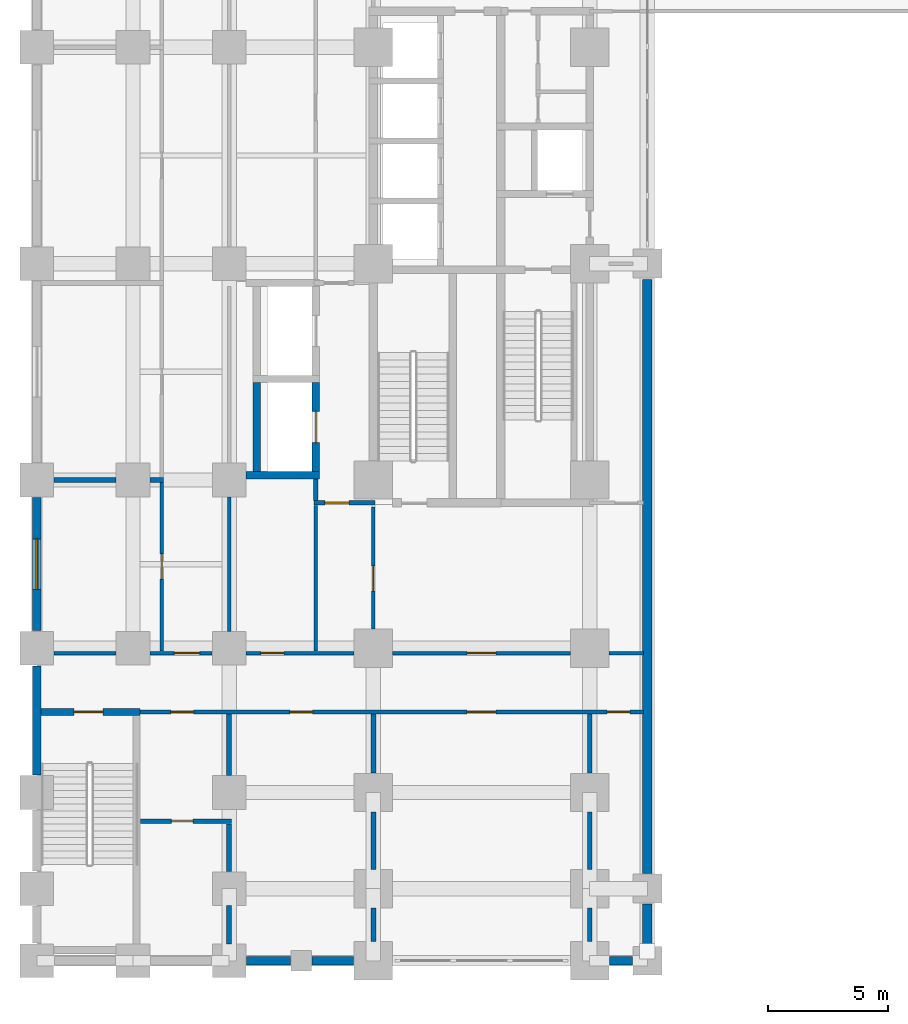
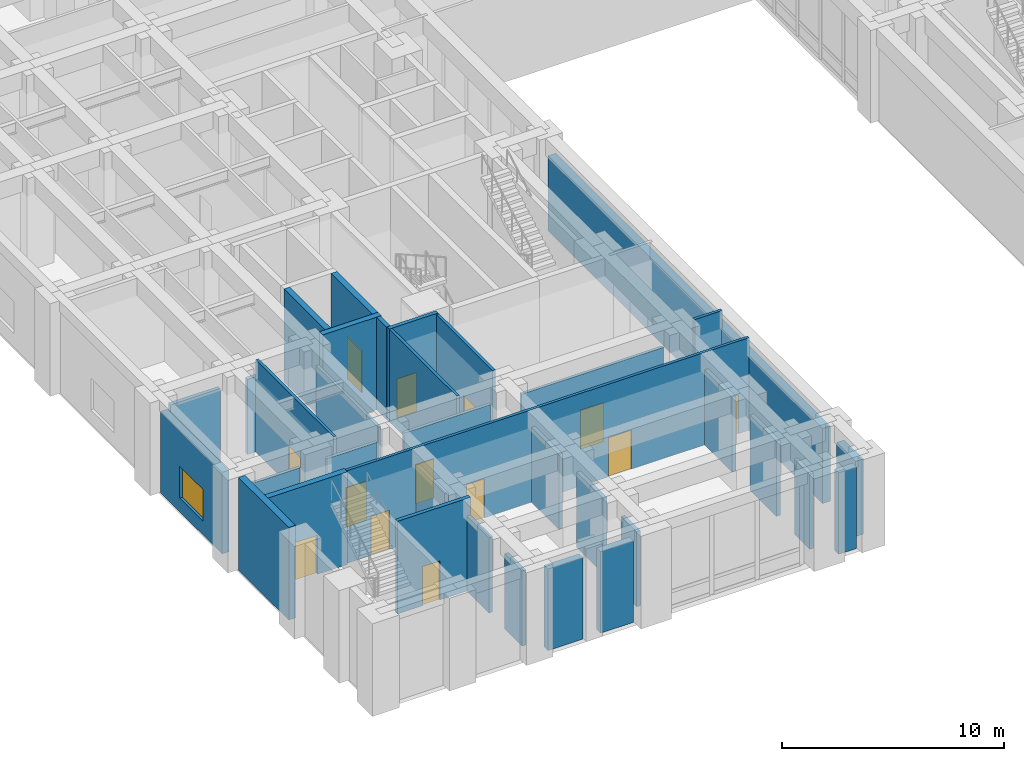
# One storey, part 8 of 21: 35 walls, 13 doors, 1 window, 14 openings.
"""IFC4 building model written with IfcOpenShell, lengths in metres."""

from ifc_helpers import new_model, si_unit, direction, frame, frame_2d, origin, place, context, subcontext, project, spatial, rectangle, extrude, material, layer, layer_set, type_object, element, fill, save


model = new_model("IFC4")

# Units and contexts
model_context = context("Model", 3, precision=1e-05, world=origin(), true_north=direction((0.0, 1.0)))
body_context = subcontext(model_context, "Body", "Model", "MODEL_VIEW")
ifc_project = project(units=[si_unit("LENGTHUNIT", "METRE"), si_unit("AREAUNIT", "SQUARE_METRE"), si_unit("VOLUMEUNIT", "CUBIC_METRE"), si_unit("PLANEANGLEUNIT", "RADIAN"), si_unit("MASSUNIT", "GRAM", prefix="KILO")], contexts=[model_context])

# Site, building, storey
site_placement = place(None, origin())
site = spatial("IfcSite", under=ifc_project, at=site_placement, CompositionType="ELEMENT")
building_placement = place(site_placement, origin())
building = spatial("IfcBuilding", under=site, at=building_placement, Name="Zulmaris Gate Convention Tower", CompositionType="ELEMENT")
storey_placement = place(building_placement, frame((0.0, 0.0, 5.43994140625)))
storey = spatial("IfcBuildingStorey", under=building, at=storey_placement, Name="L01", CompositionType="ELEMENT", Elevation=5.43994140625)

# Wall, opening, door
ifc_material_1 = material(Name="Concrete C50/60", Category="concrete")
ifc_layer_1 = layer(ifc_material_1, 0.300048828125, Name="Concrete C50/60")
ifc_layer_set_1 = layer_set([ifc_layer_1], Name="Concrete C50/60")
wall_type_1 = type_object("IfcWallType", Name="CORE-300", PredefinedType="SHEAR", material=ifc_layer_set_1)
wall_1_placement = place(storey_placement, frame((-33.8349609375, -18.64990234375, 0.0), z_axis=(0.0, 0.0, 1.0), x_axis=(1.0, 0.0, 0.0)))
wall_1 = element("IfcWall", 1, at=wall_1_placement, inside=storey, type_object=wall_type_1, Name="WL-L01-003", PredefinedType="SHEAR", context=body_context, shape_type="SweptSolid", body=[
    extrude(rectangle(XDim=4.135009765625, YDim=0.300048828125, at=frame_2d((2.0673828125, 0.0))), origin(), (0.0, 0.0, 1.0), 5.08984375),
])
opening_1_placement = place(wall_1_placement, frame((1.385009765625, 0.0, 0.0)))
opening_1 = element("IfcOpeningElement", 2, at=opening_1_placement, cuts=wall_1, Name="Opening D-13", PredefinedType="OPENING", context=body_context, shape_type="SweptSolid", body=[
    extrude(rectangle(XDim=1.199951171875, YDim=2.14990234375, at=frame_2d((0.60009765625, 1.074951171875))), frame((0.0, 0.16015625, 0.0), z_axis=(0.0, -1.0, 0.0), x_axis=(1.0, 0.0, 0.0)), (0.0, 0.0, 1.0), 0.320068359375),
])
ifc_material_2 = material(Name="Fire-Rated Steel", Category="steel")
door_type_1 = type_object("IfcDoorType", Name="DR-1200-FD", OperationType="NOTDEFINED", PredefinedType="DOOR", material=ifc_material_2)
door_1_placement = place(opening_1_placement, origin())
door_1 = element("IfcDoor", 3, at=door_1_placement, inside=storey, type_object=door_type_1, Name="L01 Exit Stair ST-4 Door 27", OperationType="SINGLE_SWING_LEFT", OverallHeight=2.14990234375, OverallWidth=1.199951171875, PredefinedType="DOOR", context=body_context, shape_type="SweptSolid", body=[
    extrude(rectangle(XDim=1.199951171875, YDim=2.14990234375, at=frame_2d((0.60009765625, 1.074951171875))), frame((0.0, 0.02490234375, 0.0), z_axis=(0.0, -1.0, 0.0), x_axis=(1.0, 0.0, 0.0)), (0.0, 0.0, 1.0), 0.050048828125),
])
fill(opening_1, door_1)

# Walls
wall_2_placement = place(storey_placement, frame((-25.2958984375, -8.800048828125, 0.0), z_axis=(0.0, 0.0, 1.0), x_axis=(1.0, 0.0, 0.0)))
element("IfcWall", 4, at=wall_2_placement, inside=storey, type_object=wall_type_1, Name="WL-L01-009", PredefinedType="SHEAR", context=body_context, shape_type="SweptSolid", body=[
    extrude(rectangle(XDim=3.0458984375, YDim=0.300048828125, at=frame_2d((1.52294921875, 0.0))), origin(), (0.0, 0.0, 1.0), 5.08984375),
])
wall_3_placement = place(storey_placement, frame((-24.85009765625, -8.64794921875, 0.0), z_axis=(0.0, 0.0, 1.0), x_axis=(0.0, 1.0, 0.0)))
element("IfcWall", 5, at=wall_3_placement, inside=storey, type_object=wall_type_1, Name="WL-L01-069", PredefinedType="SHEAR", context=body_context, shape_type="SweptSolid", body=[
    extrude(rectangle(XDim=3.696044921875, YDim=0.300048828125, at=frame_2d((1.84814453125, 0.0))), origin(), (0.0, 0.0, 1.0), 5.08984375),
])

# Wall, opening, door
wall_4_placement = place(storey_placement, frame((-22.39990234375, -8.64794921875, 0.0), z_axis=(0.0, 0.0, 1.0), x_axis=(0.0, 1.0, 0.0)))
wall_4 = element("IfcWall", 6, at=wall_4_placement, inside=storey, type_object=wall_type_1, Name="WL-L01-071", PredefinedType="SHEAR", context=body_context, shape_type="SweptSolid", body=[
    extrude(rectangle(XDim=3.696044921875, YDim=0.300048828125, at=frame_2d((1.84814453125, 0.0))), origin(), (0.0, 0.0, 1.0), 5.08984375),
])
opening_2_placement = place(wall_4_placement, frame((1.197998046875, 0.0, 0.0)))
opening_2 = element("IfcOpeningElement", 7, at=opening_2_placement, cuts=wall_4, Name="Opening D-07", PredefinedType="OPENING", context=body_context, shape_type="SweptSolid", body=[
    extrude(rectangle(XDim=1.300048828125, YDim=2.300048828125, at=frame_2d((0.64990234375, 1.14990234375))), frame((0.0, 0.16015625, 0.0), z_axis=(0.0, -1.0, 0.0), x_axis=(1.0, 0.0, 0.0)), (0.0, 0.0, 1.0), 0.320068359375),
])
ifc_material_3 = material(Name="Heavy-Duty Brushed Stainless Steel", Category="steel")
door_type_2 = type_object("IfcDoorType", Name="LD-1300", OperationType="NOTDEFINED", PredefinedType="DOOR", material=ifc_material_3)
door_2_placement = place(opening_2_placement, origin())
door_2 = element("IfcDoor", 8, at=door_2_placement, inside=storey, type_object=door_type_2, Name="L01 Goods Lift Door GL-01 24", OperationType="SLIDING_TO_LEFT", OverallHeight=2.300048828125, OverallWidth=1.300048828125, PredefinedType="DOOR", context=body_context, shape_type="SweptSolid", body=[
    extrude(rectangle(XDim=1.300048828125, YDim=2.300048828125, at=frame_2d((0.64990234375, 1.14990234375))), frame((0.0, 0.02490234375, 0.0), z_axis=(0.0, -1.0, 0.0), x_axis=(1.0, 0.0, 0.0)), (0.0, 0.0, 1.0), 0.050048828125),
])
fill(opening_2, door_2)

# Wall, openings, doors
ifc_material_4 = material(Name="Gypsum Metal Stud Partition")
ifc_layer_2 = layer(ifc_material_4, 0.14990234375, Name="Gypsum Metal Stud Partition")
ifc_layer_set_2 = layer_set([ifc_layer_2], Name="Gypsum Metal Stud Partition")
wall_type_2 = type_object("IfcWallType", Name="PART-150", PredefinedType="PARTITIONING", material=ifc_layer_set_2)
wall_5_placement = place(storey_placement, frame((-29.85009765625, -18.64990234375, 0.0), z_axis=(0.0, 0.0, 1.0), x_axis=(1.0, 0.0, 0.0)))
wall_5 = element("IfcWall", 9, at=wall_5_placement, inside=storey, type_object=wall_type_2, Name="WL-L01-030", PredefinedType="PARTITIONING", context=body_context, shape_type="SweptSolid", body=[
    extrude(rectangle(XDim=21.085205078125, YDim=0.14990234375, at=frame_2d((10.54248046875, 0.0))), origin(), (0.0, 0.0, 1.0), 5.08984375),
])
opening_3_placement = place(wall_5_placement, frame((1.425048828125, 0.0, 0.0)))
opening_3 = element("IfcOpeningElement", 10, at=opening_3_placement, cuts=wall_5, Name="Opening D-11", PredefinedType="OPENING", context=body_context, shape_type="SweptSolid", body=[
    extrude(rectangle(XDim=0.949951171875, YDim=2.14990234375, at=frame_2d((0.47509765625, 1.074951171875))), frame((0.0, 0.0849609375, 0.0), z_axis=(0.0, -1.0, 0.0), x_axis=(1.0, 0.0, 0.0)), (0.0, 0.0, 1.0), 0.169921875),
])
opening_4_placement = place(wall_5_placement, frame((6.375, 0.0, 0.0)))
opening_4 = element("IfcOpeningElement", 11, at=opening_4_placement, cuts=wall_5, Name="Opening D-11", PredefinedType="OPENING", context=body_context, shape_type="SweptSolid", body=[
    extrude(rectangle(XDim=0.949951171875, YDim=2.14990234375, at=frame_2d((0.47509765625, 1.074951171875))), frame((0.0, 0.0849609375, 0.0), z_axis=(0.0, -1.0, 0.0), x_axis=(1.0, 0.0, 0.0)), (0.0, 0.0, 1.0), 0.169921875),
])
opening_5_placement = place(wall_5_placement, frame((13.75, 0.0, 0.0)))
opening_5 = element("IfcOpeningElement", 12, at=opening_5_placement, cuts=wall_5, Name="Opening D-13", PredefinedType="OPENING", context=body_context, shape_type="SweptSolid", body=[
    extrude(rectangle(XDim=1.199951171875, YDim=2.14990234375, at=frame_2d((0.60009765625, 1.074951171875))), frame((0.0, 0.0849609375, 0.0), z_axis=(0.0, -1.0, 0.0), x_axis=(1.0, 0.0, 0.0)), (0.0, 0.0, 1.0), 0.169921875),
])
opening_6_placement = place(wall_5_placement, frame((19.574951171875, 0.0, 0.0)))
opening_6 = element("IfcOpeningElement", 13, at=opening_6_placement, cuts=wall_5, Name="Opening D-11", PredefinedType="OPENING", context=body_context, shape_type="SweptSolid", body=[
    extrude(rectangle(XDim=0.949951171875, YDim=2.14990234375, at=frame_2d((0.47509765625, 1.074951171875))), frame((0.0, 0.0849609375, 0.0), z_axis=(0.0, -1.0, 0.0), x_axis=(1.0, 0.0, 0.0)), (0.0, 0.0, 1.0), 0.169921875),
])
door_3_placement = place(opening_5_placement, origin())
door_3 = element("IfcDoor", 14, at=door_3_placement, inside=storey, type_object=door_type_1, Name="L01 South-West Banquet Hall Door 82", OperationType="SINGLE_SWING_RIGHT", OverallHeight=2.14990234375, OverallWidth=1.199951171875, PredefinedType="DOOR", context=body_context, shape_type="SweptSolid", body=[
    extrude(rectangle(XDim=1.199951171875, YDim=2.14990234375, at=frame_2d((0.60009765625, 1.074951171875))), frame((0.0, 0.02490234375, 0.0), z_axis=(0.0, -1.0, 0.0), x_axis=(1.0, 0.0, 0.0)), (0.0, 0.0, 1.0), 0.050048828125),
])
fill(opening_5, door_3)
ifc_material_5 = material(Name="Fire-Rated Timber", Category="wood")
door_type_3 = type_object("IfcDoorType", Name="DR-950-FD", OperationType="NOTDEFINED", PredefinedType="DOOR", material=ifc_material_5)
door_4_placement = place(opening_3_placement, origin())
door_4 = element("IfcDoor", 15, at=door_4_placement, inside=storey, type_object=door_type_3, Name="L01 SW AV Control Door 80", OperationType="SINGLE_SWING_RIGHT", OverallHeight=2.14990234375, OverallWidth=0.949951171875, PredefinedType="DOOR", context=body_context, shape_type="SweptSolid", body=[
    extrude(rectangle(XDim=0.949951171875, YDim=2.14990234375, at=frame_2d((0.47509765625, 1.074951171875))), frame((0.0, 0.02490234375, 0.0), z_axis=(0.0, -1.0, 0.0), x_axis=(1.0, 0.0, 0.0)), (0.0, 0.0, 1.0), 0.050048828125),
])
fill(opening_3, door_4)
door_5_placement = place(opening_4_placement, origin())
door_5 = element("IfcDoor", 16, at=door_5_placement, inside=storey, type_object=door_type_3, Name="L01 South-West Seminar Room Door 81", OperationType="SINGLE_SWING_LEFT", OverallHeight=2.14990234375, OverallWidth=0.949951171875, PredefinedType="DOOR", context=body_context, shape_type="SweptSolid", body=[
    extrude(rectangle(XDim=0.949951171875, YDim=2.14990234375, at=frame_2d((0.47509765625, 1.074951171875))), frame((0.0, 0.02490234375, 0.0), z_axis=(0.0, -1.0, 0.0), x_axis=(1.0, 0.0, 0.0)), (0.0, 0.0, 1.0), 0.050048828125),
])
fill(opening_4, door_5)
door_6_placement = place(opening_6_placement, origin())
door_6 = element("IfcDoor", 17, at=door_6_placement, inside=storey, type_object=door_type_3, Name="L01 South-West Furniture Store Door 83", OperationType="SINGLE_SWING_LEFT", OverallHeight=2.14990234375, OverallWidth=0.949951171875, PredefinedType="DOOR", context=body_context, shape_type="SweptSolid", body=[
    extrude(rectangle(XDim=0.949951171875, YDim=2.14990234375, at=frame_2d((0.47509765625, 1.074951171875))), frame((0.0, 0.02490234375, 0.0), z_axis=(0.0, -1.0, 0.0), x_axis=(1.0, 0.0, 0.0)), (0.0, 0.0, 1.0), 0.050048828125),
])
fill(opening_6, door_6)

# Wall
wall_6_placement = place(storey_placement, frame((-33.2939453125, -16.199951171875, 0.0), z_axis=(0.0, 0.0, 1.0), x_axis=(1.0, 0.0, 0.0)))
element("IfcWall", 18, at=wall_6_placement, inside=storey, type_object=wall_type_2, Name="WL-L01-032", PredefinedType="PARTITIONING", context=body_context, shape_type="SweptSolid", body=[
    extrude(rectangle(XDim=2.587890625, YDim=0.14990234375, at=frame_2d((1.2939453125, 0.0))), origin(), (0.0, 0.0, 1.0), 4.132080078125),
])

# Wall, opening, door
wall_7_placement = place(storey_placement, frame((-29.2939453125, -16.199951171875, 0.0), z_axis=(0.0, 0.0, 1.0), x_axis=(1.0, 0.0, 0.0)))
wall_7 = element("IfcWall", 19, at=wall_7_placement, inside=storey, type_object=wall_type_2, Name="WL-L01-032S1", PredefinedType="PARTITIONING", context=body_context, shape_type="SweptSolid", body=[
    extrude(rectangle(XDim=2.587890625, YDim=0.14990234375, at=frame_2d((1.2939453125, 0.0))), origin(), (0.0, 0.0, 1.0), 4.132080078125),
])
opening_7_placement = place(wall_7_placement, frame((1.01904296875, 0.0, 0.0)))
opening_7 = element("IfcOpeningElement", 20, at=opening_7_placement, cuts=wall_7, Name="Opening D-09", PredefinedType="OPENING", context=body_context, shape_type="SweptSolid", body=[
    extrude(rectangle(XDim=1.050048828125, YDim=2.14990234375, at=frame_2d((0.52490234375, 1.074951171875))), frame((0.0, 0.0849609375, 0.0), z_axis=(0.0, -1.0, 0.0), x_axis=(1.0, 0.0, 0.0)), (0.0, 0.0, 1.0), 0.169921875),
])
door_type_4 = type_object("IfcDoorType", Name="DR-1050-FD", OperationType="NOTDEFINED", PredefinedType="DOOR", material=ifc_material_2)
door_7_placement = place(opening_7_placement, origin())
door_7 = element("IfcDoor", 21, at=door_7_placement, inside=storey, type_object=door_type_4, Name="L01 West Promenade Stair Link Door 65", OperationType="SINGLE_SWING_LEFT", OverallHeight=2.14990234375, OverallWidth=1.050048828125, PredefinedType="DOOR", context=body_context, shape_type="SweptSolid", body=[
    extrude(rectangle(XDim=1.050048828125, YDim=2.14990234375, at=frame_2d((0.52490234375, 1.074951171875))), frame((0.0, 0.02490234375, 0.0), z_axis=(0.0, -1.0, 0.0), x_axis=(1.0, 0.0, 0.0)), (0.0, 0.0, 1.0), 0.050048828125),
])
fill(opening_7, door_7)

wall_8_placement = place(storey_placement, frame((-25.2939453125, -16.199951171875, 0.0), z_axis=(0.0, 0.0, 1.0), x_axis=(1.0, 0.0, 0.0)))
wall_8 = element("IfcWall", 22, at=wall_8_placement, inside=storey, type_object=wall_type_2, Name="WL-L01-032S2", PredefinedType="PARTITIONING", context=body_context, shape_type="SweptSolid", body=[
    extrude(rectangle(XDim=4.488037109375, YDim=0.14990234375, at=frame_2d((2.244140625, 0.0))), origin(), (0.0, 0.0, 1.0), 4.132080078125),
])
opening_8_placement = place(wall_8_placement, frame((0.618896484375, 0.0, 0.0)))
opening_8 = element("IfcOpeningElement", 23, at=opening_8_placement, cuts=wall_8, Name="Opening D-11", PredefinedType="OPENING", context=body_context, shape_type="SweptSolid", body=[
    extrude(rectangle(XDim=0.949951171875, YDim=2.14990234375, at=frame_2d((0.47509765625, 1.074951171875))), frame((0.0, 0.0849609375, 0.0), z_axis=(0.0, -1.0, 0.0), x_axis=(1.0, 0.0, 0.0)), (0.0, 0.0, 1.0), 0.169921875),
])
door_8_placement = place(opening_8_placement, origin())
door_8 = element("IfcDoor", 24, at=door_8_placement, inside=storey, type_object=door_type_3, Name="L01 West Staging Store Door 37", OperationType="SINGLE_SWING_LEFT", OverallHeight=2.14990234375, OverallWidth=0.949951171875, PredefinedType="DOOR", context=body_context, shape_type="SweptSolid", body=[
    extrude(rectangle(XDim=0.949951171875, YDim=2.14990234375, at=frame_2d((0.47509765625, 1.074951171875))), frame((0.0, 0.02490234375, 0.0), z_axis=(0.0, -1.0, 0.0), x_axis=(1.0, 0.0, 0.0)), (0.0, 0.0, 1.0), 0.050048828125),
])
fill(opening_8, door_8)

wall_9_placement = place(storey_placement, frame((-19.194091796875, -16.199951171875, 0.0), z_axis=(0.0, 0.0, 1.0), x_axis=(1.0, 0.0, 0.0)))
wall_9 = element("IfcWall", 25, at=wall_9_placement, inside=storey, type_object=wall_type_2, Name="WL-L01-032S3", PredefinedType="PARTITIONING", context=body_context, shape_type="SweptSolid", body=[
    extrude(rectangle(XDim=7.38818359375, YDim=0.14990234375, at=frame_2d((3.694091796875, 0.0))), origin(), (0.0, 0.0, 1.0), 4.132080078125),
])
opening_9_placement = place(wall_9_placement, frame((3.093994140625, 0.0, 0.0)))
opening_9 = element("IfcOpeningElement", 26, at=opening_9_placement, cuts=wall_9, Name="Opening D-13", PredefinedType="OPENING", context=body_context, shape_type="SweptSolid", body=[
    extrude(rectangle(XDim=1.199951171875, YDim=2.14990234375, at=frame_2d((0.60009765625, 1.074951171875))), frame((0.0, 0.0849609375, 0.0), z_axis=(0.0, -1.0, 0.0), x_axis=(1.0, 0.0, 0.0)), (0.0, 0.0, 1.0), 0.169921875),
])
door_9_placement = place(opening_9_placement, origin())
door_9 = element("IfcDoor", 27, at=door_9_placement, inside=storey, type_object=door_type_1, Name="L01 SW Stair Link Door 48", OperationType="SINGLE_SWING_RIGHT", OverallHeight=2.14990234375, OverallWidth=1.199951171875, PredefinedType="DOOR", context=body_context, shape_type="SweptSolid", body=[
    extrude(rectangle(XDim=1.199951171875, YDim=2.14990234375, at=frame_2d((0.60009765625, 1.074951171875))), frame((0.0, 0.02490234375, 0.0), z_axis=(0.0, -1.0, 0.0), x_axis=(1.0, 0.0, 0.0)), (0.0, 0.0, 1.0), 0.050048828125),
])
fill(opening_9, door_9)

# Wall
wall_10_placement = place(storey_placement, frame((-10.194091796875, -16.199951171875, 0.0), z_axis=(0.0, 0.0, 1.0), x_axis=(1.0, 0.0, 0.0)))
element("IfcWall", 28, at=wall_10_placement, inside=storey, type_object=wall_type_2, Name="WL-L01-032S4", PredefinedType="PARTITIONING", context=body_context, shape_type="SweptSolid", body=[
    extrude(rectangle(XDim=1.42919921875, YDim=0.14990234375, at=frame_2d((0.714599609375, 0.0))), origin(), (0.0, 0.0, 1.0), 5.08984375),
])

# Wall, opening, door
wall_11_placement = place(storey_placement, frame((-28.800048828125, -16.1220703125, 0.0), z_axis=(0.0, 0.0, 1.0), x_axis=(0.0, 1.0, 0.0)))
wall_11 = element("IfcWall", 29, at=wall_11_placement, inside=storey, type_object=wall_type_2, Name="WL-L01-111", PredefinedType="PARTITIONING", context=body_context, shape_type="SweptSolid", body=[
    extrude(rectangle(XDim=7.01904296875, YDim=0.14990234375, at=frame_2d((3.509521484375, 0.0))), origin(), (0.0, 0.0, 1.0), 5.08984375),
])
opening_10_placement = place(wall_11_placement, frame((2.9970703125, 0.0, 0.0)))
opening_10 = element("IfcOpeningElement", 30, at=opening_10_placement, cuts=wall_11, Name="Opening D-09", PredefinedType="OPENING", context=body_context, shape_type="SweptSolid", body=[
    extrude(rectangle(XDim=1.050048828125, YDim=2.14990234375, at=frame_2d((0.52490234375, 1.074951171875))), frame((0.0, 0.0849609375, 0.0), z_axis=(0.0, -1.0, 0.0), x_axis=(1.0, 0.0, 0.0)), (0.0, 0.0, 1.0), 0.169921875),
])
door_10_placement = place(opening_10_placement, origin())
door_10 = element("IfcDoor", 31, at=door_10_placement, inside=storey, type_object=door_type_4, Name="L01 SW Workshop WL1 Door 67", OperationType="SINGLE_SWING_LEFT", OverallHeight=2.14990234375, OverallWidth=1.050048828125, PredefinedType="DOOR", context=body_context, shape_type="SweptSolid", body=[
    extrude(rectangle(XDim=1.050048828125, YDim=2.14990234375, at=frame_2d((0.52490234375, 1.074951171875))), frame((0.0, 0.02490234375, 0.0), z_axis=(0.0, -1.0, 0.0), x_axis=(1.0, 0.0, 0.0)), (0.0, 0.0, 1.0), 0.050048828125),
])
fill(opening_10, door_10)

# Walls
wall_12_placement = place(storey_placement, frame((-26.0, -15.2939453125, 0.0), z_axis=(0.0, 0.0, 1.0), x_axis=(0.0, 1.0, 0.0)))
element("IfcWall", 32, at=wall_12_placement, inside=storey, type_object=wall_type_2, Name="WL-L01-117", PredefinedType="PARTITIONING", context=body_context, shape_type="SweptSolid", body=[
    extrude(rectangle(XDim=5.587890625, YDim=0.14990234375, at=frame_2d((2.7939453125, 0.0))), origin(), (0.0, 0.0, 1.0), 4.132080078125),
])
wall_13_placement = place(storey_placement, frame((-22.39990234375, -16.1220703125, 0.0), z_axis=(0.0, 0.0, 1.0), x_axis=(0.0, 1.0, 0.0)))
element("IfcWall", 33, at=wall_13_placement, inside=storey, type_object=wall_type_2, Name="WL-L01-121", PredefinedType="PARTITIONING", context=body_context, shape_type="SweptSolid", body=[
    extrude(rectangle(XDim=6.069091796875, YDim=0.14990234375, at=frame_2d((3.03466796875, 0.0))), origin(), (0.0, 0.0, 1.0), 5.08984375),
])

# Wall, opening, door
wall_14_placement = place(storey_placement, frame((-20.0, -15.194091796875, 0.0), z_axis=(0.0, 0.0, 1.0), x_axis=(0.0, 1.0, 0.0)))
wall_14 = element("IfcWall", 34, at=wall_14_placement, inside=storey, type_object=wall_type_2, Name="WL-L01-125", PredefinedType="PARTITIONING", context=body_context, shape_type="SweptSolid", body=[
    extrude(rectangle(XDim=5.066162109375, YDim=0.14990234375, at=frame_2d((2.533203125, 0.0))), origin(), (0.0, 0.0, 1.0), 5.08984375),
])
opening_11_placement = place(wall_14_placement, frame((1.569091796875, 0.0, 0.0)))
opening_11 = element("IfcOpeningElement", 35, at=opening_11_placement, cuts=wall_14, Name="Opening D-09", PredefinedType="OPENING", context=body_context, shape_type="SweptSolid", body=[
    extrude(rectangle(XDim=1.050048828125, YDim=2.14990234375, at=frame_2d((0.52490234375, 1.074951171875))), frame((0.0, 0.0849609375, 0.0), z_axis=(0.0, -1.0, 0.0), x_axis=(1.0, 0.0, 0.0)), (0.0, 0.0, 1.0), 0.169921875),
])
door_11_placement = place(opening_11_placement, origin())
door_11 = element("IfcDoor", 36, at=door_11_placement, inside=storey, type_object=door_type_4, Name="L01 SW Goods Passage Link Door 36", OperationType="SINGLE_SWING_RIGHT", OverallHeight=2.14990234375, OverallWidth=1.050048828125, PredefinedType="DOOR", context=body_context, shape_type="SweptSolid", body=[
    extrude(rectangle(XDim=1.050048828125, YDim=2.14990234375, at=frame_2d((0.52490234375, 1.074951171875))), frame((0.0, 0.02490234375, 0.0), z_axis=(0.0, -1.0, 0.0), x_axis=(1.0, 0.0, 0.0)), (0.0, 0.0, 1.0), 0.050048828125),
])
fill(opening_11, door_11)

ifc_material_6 = material(Name="Autoclaved Aerated Concrete Block and Plasterboard", Category="concrete")
ifc_layer_3 = layer(ifc_material_6, 0.199951171875, Name="Autoclaved Aerated Concrete Block and Plasterboard")
ifc_layer_set_3 = layer_set([ifc_layer_3], Name="Autoclaved Aerated Concrete Block and Plasterboard")
wall_type_3 = type_object("IfcWallType", Name="PART-200", PredefinedType="PARTITIONING", material=ifc_layer_set_3)
wall_15_placement = place(storey_placement, frame((-29.697021484375, -23.199951171875, 0.0), z_axis=(0.0, 0.0, 1.0), x_axis=(1.0, 0.0, 0.0)))
wall_15 = element("IfcWall", 37, at=wall_15_placement, inside=storey, type_object=wall_type_3, Name="WL-L01-029", PredefinedType="PARTITIONING", context=body_context, shape_type="SweptSolid", body=[
    extrude(rectangle(XDim=3.797119140625, YDim=0.199951171875, at=frame_2d((1.8984375, 0.0))), origin(), (0.0, 0.0, 1.0), 5.08984375),
])
opening_12_placement = place(wall_15_placement, frame((1.297119140625, 0.0, 0.0)))
opening_12 = element("IfcOpeningElement", 38, at=opening_12_placement, cuts=wall_15, Name="Opening D-12", PredefinedType="OPENING", context=body_context, shape_type="SweptSolid", body=[
    extrude(rectangle(XDim=0.89990234375, YDim=2.14990234375, at=frame_2d((0.449951171875, 1.074951171875))), frame((0.0, 0.10986328125, 0.0), z_axis=(0.0, -1.0, 0.0), x_axis=(1.0, 0.0, 0.0)), (0.0, 0.0, 1.0), 0.219970703125),
])
door_type_5 = type_object("IfcDoorType", Name="DR-900-FD", OperationType="NOTDEFINED", PredefinedType="DOOR", material=ifc_material_5)
door_12_placement = place(opening_12_placement, origin())
door_12 = element("IfcDoor", 39, at=door_12_placement, inside=storey, type_object=door_type_5, Name="L01 SW AV Store Door 79", OperationType="SINGLE_SWING_LEFT", OverallHeight=2.14990234375, OverallWidth=0.89990234375, PredefinedType="DOOR", context=body_context, shape_type="SweptSolid", body=[
    extrude(rectangle(XDim=0.89990234375, YDim=2.14990234375, at=frame_2d((0.449951171875, 1.074951171875))), frame((0.0, 0.02490234375, 0.0), z_axis=(0.0, -1.0, 0.0), x_axis=(1.0, 0.0, 0.0)), (0.0, 0.0, 1.0), 0.050048828125),
])
fill(opening_12, door_12)

wall_16_placement = place(storey_placement, frame((-22.47509765625, -9.949951171875, 0.0), z_axis=(0.0, 0.0, 1.0), x_axis=(1.0, 0.0, 0.0)))
wall_16 = element("IfcWall", 40, at=wall_16_placement, inside=storey, type_object=wall_type_3, Name="WL-L01-034", PredefinedType="PARTITIONING", context=body_context, shape_type="SweptSolid", body=[
    extrude(rectangle(XDim=2.550048828125, YDim=0.199951171875, at=frame_2d((1.27490234375, 0.0))), origin(), (0.0, 0.0, 1.0), 5.08984375),
])
opening_13_placement = place(wall_16_placement, frame((0.455078125, 0.0, 0.0)))
opening_13 = element("IfcOpeningElement", 41, at=opening_13_placement, cuts=wall_16, Name="Opening D-10", PredefinedType="OPENING", context=body_context, shape_type="SweptSolid", body=[
    extrude(rectangle(XDim=1.0, YDim=2.14990234375, at=frame_2d((0.5, 1.074951171875))), frame((0.0, 0.10986328125, 0.0), z_axis=(0.0, -1.0, 0.0), x_axis=(1.0, 0.0, 0.0)), (0.0, 0.0, 1.0), 0.219970703125),
])
door_type_6 = type_object("IfcDoorType", Name="DR-1000-FD", OperationType="NOTDEFINED", PredefinedType="DOOR", material=ifc_material_5)
door_13_placement = place(opening_13_placement, origin())
door_13 = element("IfcDoor", 42, at=door_13_placement, inside=storey, type_object=door_type_6, Name="L01 Goods Lobby South Door 35", OperationType="SINGLE_SWING_LEFT", OverallHeight=2.14990234375, OverallWidth=1.0, PredefinedType="DOOR", context=body_context, shape_type="SweptSolid", body=[
    extrude(rectangle(XDim=1.0, YDim=2.14990234375, at=frame_2d((0.5, 1.074951171875))), frame((0.0, 0.02490234375, 0.0), z_axis=(0.0, -1.0, 0.0), x_axis=(1.0, 0.0, 0.0)), (0.0, 0.0, 1.0), 0.050048828125),
])
fill(opening_13, door_13)

# Walls
wall_17_placement = place(storey_placement, frame((-33.2939453125, -9.0, 0.0), z_axis=(0.0, 0.0, 1.0), x_axis=(1.0, 0.0, 0.0)))
element("IfcWall", 43, at=wall_17_placement, inside=storey, type_object=wall_type_3, Name="WL-L01-037", PredefinedType="PARTITIONING", context=body_context, shape_type="SweptSolid", body=[
    extrude(rectangle(XDim=2.587890625, YDim=0.199951171875, at=frame_2d((1.2939453125, 0.0))), origin(), (0.0, 0.0, 1.0), 4.132080078125),
])
wall_18_placement = place(storey_placement, frame((-29.2939453125, -9.0, 0.0), z_axis=(0.0, 0.0, 1.0), x_axis=(1.0, 0.0, 0.0)))
element("IfcWall", 44, at=wall_18_placement, inside=storey, type_object=wall_type_3, Name="WL-L01-037S1", PredefinedType="PARTITIONING", context=body_context, shape_type="SweptSolid", body=[
    extrude(rectangle(XDim=0.56884765625, YDim=0.199951171875, at=frame_2d((0.284423828125, 0.0))), origin(), (0.0, 0.0, 1.0), 4.132080078125),
])
wall_19_placement = place(storey_placement, frame((-26.0, -28.2939453125, 0.0), z_axis=(0.0, 0.0, 1.0), x_axis=(0.0, 1.0, 0.0)))
element("IfcWall", 45, at=wall_19_placement, inside=storey, type_object=wall_type_3, Name="WL-L01-115", PredefinedType="PARTITIONING", context=body_context, shape_type="SweptSolid", body=[
    extrude(rectangle(XDim=1.587890625, YDim=0.199951171875, at=frame_2d((0.7939453125, 0.0))), origin(), (0.0, 0.0, 1.0), 4.132080078125),
])
wall_20_placement = place(storey_placement, frame((-26.0, -25.2939453125, 0.0), z_axis=(0.0, 0.0, 1.0), x_axis=(0.0, 1.0, 0.0)))
element("IfcWall", 46, at=wall_20_placement, inside=storey, type_object=wall_type_3, Name="WL-L01-115S1", PredefinedType="PARTITIONING", context=body_context, shape_type="SweptSolid", body=[
    extrude(rectangle(XDim=1.990966796875, YDim=0.199951171875, at=frame_2d((0.99560546875, 0.0))), origin(), (0.0, 0.0, 1.0), 4.132080078125),
])
wall_21_placement = place(storey_placement, frame((-26.0, -21.2939453125, 0.0), z_axis=(0.0, 0.0, 1.0), x_axis=(0.0, 1.0, 0.0)))
element("IfcWall", 47, at=wall_21_placement, inside=storey, type_object=wall_type_3, Name="WL-L01-116", PredefinedType="PARTITIONING", context=body_context, shape_type="SweptSolid", body=[
    extrude(rectangle(XDim=2.56591796875, YDim=0.199951171875, at=frame_2d((1.282958984375, 0.0))), origin(), (0.0, 0.0, 1.0), 4.132080078125),
])
wall_22_placement = place(storey_placement, frame((-22.39990234375, -9.846923828125, 0.0), z_axis=(0.0, 0.0, 1.0), x_axis=(0.0, 1.0, 0.0)))
element("IfcWall", 48, at=wall_22_placement, inside=storey, type_object=wall_type_3, Name="WL-L01-122", PredefinedType="PARTITIONING", context=body_context, shape_type="SweptSolid", body=[
    extrude(rectangle(XDim=0.89404296875, YDim=0.199951171875, at=frame_2d((0.447021484375, 0.0))), origin(), (0.0, 0.0, 1.0), 5.08984375),
])
wall_23_placement = place(storey_placement, frame((-20.0, -28.194091796875, 0.0), z_axis=(0.0, 0.0, 1.0), x_axis=(0.0, 1.0, 0.0)))
element("IfcWall", 49, at=wall_23_placement, inside=storey, type_object=wall_type_3, Name="WL-L01-124", PredefinedType="PARTITIONING", context=body_context, shape_type="SweptSolid", body=[
    extrude(rectangle(XDim=1.38818359375, YDim=0.199951171875, at=frame_2d((0.694091796875, 0.0))), origin(), (0.0, 0.0, 1.0), 4.132080078125),
])
wall_24_placement = place(storey_placement, frame((-20.0, -25.194091796875, 0.0), z_axis=(0.0, 0.0, 1.0), x_axis=(0.0, 1.0, 0.0)))
element("IfcWall", 50, at=wall_24_placement, inside=storey, type_object=wall_type_3, Name="WL-L01-124S1", PredefinedType="PARTITIONING", context=body_context, shape_type="SweptSolid", body=[
    extrude(rectangle(XDim=2.38818359375, YDim=0.199951171875, at=frame_2d((1.194091796875, 0.0))), origin(), (0.0, 0.0, 1.0), 4.132080078125),
])
wall_25_placement = place(storey_placement, frame((-20.0, -21.194091796875, 0.0), z_axis=(0.0, 0.0, 1.0), x_axis=(0.0, 1.0, 0.0)))
element("IfcWall", 51, at=wall_25_placement, inside=storey, type_object=wall_type_3, Name="WL-L01-124S2", PredefinedType="PARTITIONING", context=body_context, shape_type="SweptSolid", body=[
    extrude(rectangle(XDim=2.466064453125, YDim=0.199951171875, at=frame_2d((1.23291015625, 0.0))), origin(), (0.0, 0.0, 1.0), 4.132080078125),
])
wall_26_placement = place(storey_placement, frame((-11.0, -28.194091796875, 0.0), z_axis=(0.0, 0.0, 1.0), x_axis=(0.0, 1.0, 0.0)))
element("IfcWall", 52, at=wall_26_placement, inside=storey, type_object=wall_type_3, Name="WL-L01-131", PredefinedType="PARTITIONING", context=body_context, shape_type="SweptSolid", body=[
    extrude(rectangle(XDim=1.38818359375, YDim=0.199951171875, at=frame_2d((0.694091796875, 0.0))), origin(), (0.0, 0.0, 1.0), 4.132080078125),
])
wall_27_placement = place(storey_placement, frame((-11.0, -25.194091796875, 0.0), z_axis=(0.0, 0.0, 1.0), x_axis=(0.0, 1.0, 0.0)))
element("IfcWall", 53, at=wall_27_placement, inside=storey, type_object=wall_type_3, Name="WL-L01-131S1", PredefinedType="PARTITIONING", context=body_context, shape_type="SweptSolid", body=[
    extrude(rectangle(XDim=2.38818359375, YDim=0.199951171875, at=frame_2d((1.194091796875, 0.0))), origin(), (0.0, 0.0, 1.0), 4.132080078125),
])
wall_28_placement = place(storey_placement, frame((-11.0, -21.194091796875, 0.0), z_axis=(0.0, 0.0, 1.0), x_axis=(0.0, 1.0, 0.0)))
element("IfcWall", 54, at=wall_28_placement, inside=storey, type_object=wall_type_3, Name="WL-L01-131S2", PredefinedType="PARTITIONING", context=body_context, shape_type="SweptSolid", body=[
    extrude(rectangle(XDim=2.466064453125, YDim=0.199951171875, at=frame_2d((1.23291015625, 0.0))), origin(), (0.0, 0.0, 1.0), 4.132080078125),
])
ifc_material_7 = material(Name="Precast concrete C50/60", Category="concrete")
ifc_layer_4 = layer(ifc_material_7, 0.39990234375, Name="Precast concrete C50/60")
ifc_layer_set_4 = layer_set([ifc_layer_4], Name="Precast concrete C50/60")
wall_type_4 = type_object("IfcWallType", Name="PRECAST-ARCH-400", PredefinedType="STANDARD", material=ifc_layer_set_4)
wall_29_placement = place(storey_placement, frame((-8.60009765625, -28.35009765625, 0.0), z_axis=(0.0, 0.0, 1.0), x_axis=(0.0, 1.0, 0.0)))
element("IfcWall", 55, at=wall_29_placement, inside=storey, type_object=wall_type_4, Name="EW-L01-ARCH-WS_0", PredefinedType="STANDARD", context=body_context, shape_type="SweptSolid", body=[
    extrude(rectangle(XDim=1.72021484375, YDim=0.39990234375, at=frame_2d((0.860107421875, 0.0))), origin(), (0.0, 0.0, 1.0), 4.132080078125),
])
wall_30_placement = place(storey_placement, frame((-8.60009765625, -25.3701171875, 0.0), z_axis=(0.0, 0.0, 1.0), x_axis=(0.0, 1.0, 0.0)))
element("IfcWall", 56, at=wall_30_placement, inside=storey, type_object=wall_type_4, Name="EW-L01-ARCH-WS_1", PredefinedType="STANDARD", context=body_context, shape_type="SweptSolid", body=[
    extrude(rectangle(XDim=24.72021484375, YDim=0.39990234375, at=frame_2d((12.360107421875, 0.0))), origin(), (0.0, 0.0, 1.0), 4.132080078125),
])
ifc_material_8 = material(Name="Precast concrete C45/55", Category="concrete")
ifc_layer_5 = layer(ifc_material_8, 0.35009765625, Name="Precast concrete C45/55")
ifc_layer_set_5 = layer_set([ifc_layer_5], Name="Precast concrete C45/55")
wall_type_5 = type_object("IfcWallType", Name="PRECAST-POD-350", PredefinedType="STANDARD", material=ifc_layer_set_5)
wall_31_placement = place(storey_placement, frame((-25.27001953125, -29.0, 0.0), z_axis=(0.0, 0.0, 1.0), x_axis=(1.0, 0.0, 0.0)))
element("IfcWall", 57, at=wall_31_placement, inside=storey, type_object=wall_type_5, Name="EW-L01-S--260_0", PredefinedType="STANDARD", context=body_context, shape_type="SweptSolid", body=[
    extrude(rectangle(XDim=1.81494140625, YDim=0.35009765625, at=frame_2d((0.907470703125, 0.0))), origin(), (0.0, 0.0, 1.0), 4.48193359375),
])
wall_32_placement = place(storey_placement, frame((-22.544921875, -29.0, 0.0), z_axis=(0.0, 0.0, 1.0), x_axis=(1.0, 0.0, 0.0)))
element("IfcWall", 58, at=wall_32_placement, inside=storey, type_object=wall_type_5, Name="EW-L01-S--230_0", PredefinedType="STANDARD", context=body_context, shape_type="SweptSolid", body=[
    extrude(rectangle(XDim=1.71484375, YDim=0.35009765625, at=frame_2d((0.857421875, 0.0))), origin(), (0.0, 0.0, 1.0), 4.48193359375),
])
wall_33_placement = place(storey_placement, frame((-10.169921875, -29.0, 0.0), z_axis=(0.0, 0.0, 1.0), x_axis=(1.0, 0.0, 0.0)))
element("IfcWall", 59, at=wall_33_placement, inside=storey, type_object=wall_type_5, Name="EW-L01-S--110_0", PredefinedType="STANDARD", context=body_context, shape_type="SweptSolid", body=[
    extrude(rectangle(XDim=0.93994140625, YDim=0.35009765625, at=frame_2d((0.469970703125, 0.0))), origin(), (0.0, 0.0, 1.0), 4.48193359375),
])
wall_34_placement = place(storey_placement, frame((-34.0, -21.27001953125, 0.0), z_axis=(0.0, 0.0, 1.0), x_axis=(0.0, 1.0, 0.0)))
element("IfcWall", 60, at=wall_34_placement, inside=storey, type_object=wall_type_5, Name="EW-L01-W--22_0", PredefinedType="STANDARD", context=body_context, shape_type="SweptSolid", body=[
    extrude(rectangle(XDim=4.5400390625, YDim=0.35009765625, at=frame_2d((2.27001953125, 0.0))), origin(), (0.0, 0.0, 1.0), 5.08984375),
])

# Wall, opening, window
wall_35_placement = place(storey_placement, frame((-34.0, -15.27001953125, 0.0), z_axis=(0.0, 0.0, 1.0), x_axis=(0.0, 1.0, 0.0)))
wall_35 = element("IfcWall", 61, at=wall_35_placement, inside=storey, type_object=wall_type_5, Name="EW-L01-W--16_0", PredefinedType="STANDARD", context=body_context, shape_type="SweptSolid", body=[
    extrude(rectangle(XDim=5.5400390625, YDim=0.35009765625, at=frame_2d((2.77001953125, 0.0))), origin(), (0.0, 0.0, 1.0), 4.48193359375),
])
opening_14_placement = place(wall_35_placement, frame((1.719970703125, 0.0, 0.75)))
opening_14 = element("IfcOpeningElement", 62, at=opening_14_placement, cuts=wall_35, Name="Opening W-05", PredefinedType="OPENING", context=body_context, shape_type="SweptSolid", body=[
    extrude(rectangle(XDim=2.10009765625, YDim=1.75, at=frame_2d((1.050048828125, 0.875))), frame((0.0, 0.18505859375, 0.0), z_axis=(0.0, -1.0, 0.0), x_axis=(1.0, 0.0, 0.0)), (0.0, 0.0, 1.0), 0.3701171875),
])
ifc_material_9 = material(Name="Low-E Laminated Double Glazing in Aluminium Frame", Category="aluminium")
window_type = type_object("IfcWindowType", Name="WIN-2100x2400", PartitioningType="SINGLE_PANEL", PredefinedType="WINDOW", material=ifc_material_9)
window_placement = place(opening_14_placement, origin())
window = element("IfcWindow", 63, at=window_placement, inside=storey, type_object=window_type, Name="WN-EW-L01-W--16_0", OverallHeight=1.75, OverallWidth=2.10009765625, PartitioningType="SINGLE_PANEL", PredefinedType="WINDOW", context=body_context, shape_type="SweptSolid", body=[
    extrude(rectangle(XDim=2.10009765625, YDim=1.75, at=frame_2d((1.050048828125, 0.875))), frame((0.0, 0.030029296875, 0.0), z_axis=(0.0, -1.0, 0.0), x_axis=(1.0, 0.0, 0.0)), (0.0, 0.0, 1.0), 0.06005859375),
])
fill(opening_14, window)

save(model, "model.ifc")
